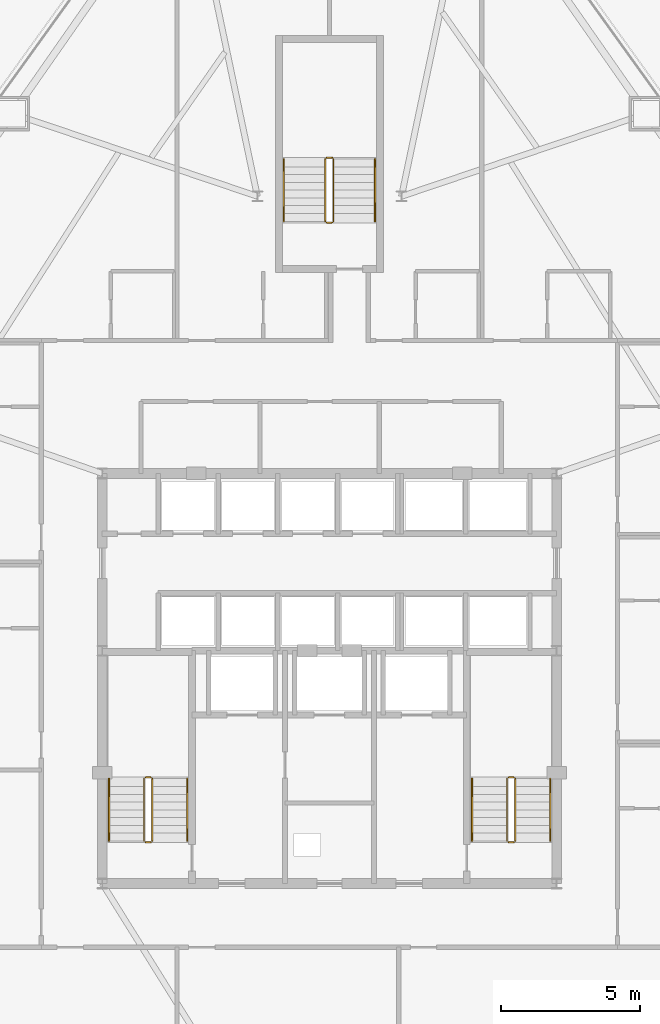
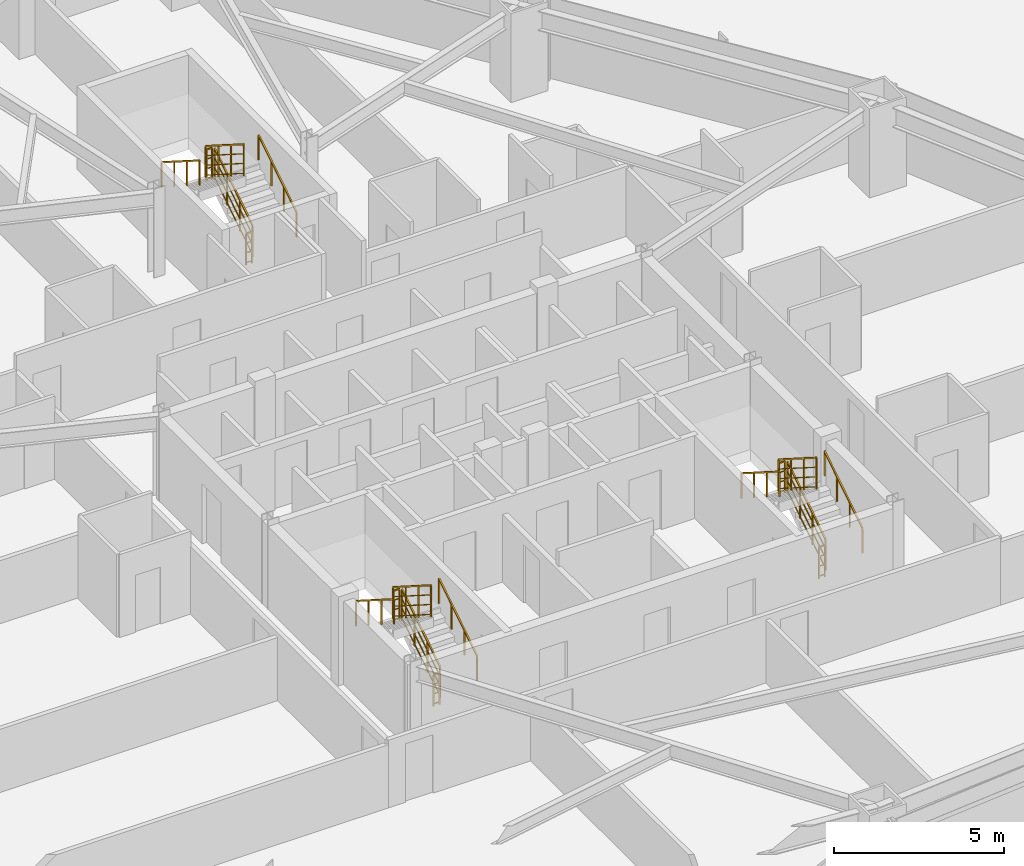
# One storey, part 17 of 17: 18 railings.
"""IFC4 building model written with IfcOpenShell, lengths in metres."""

import ifcopenshell
import ifcopenshell.guid

model = None  # the IFC model being written
_history = None  # IfcOwnerHistory: only IFC2X3 demands one
_inside = {}  # id of a spatial element -> (the spatial element, [elements in it])
_under = {}  # id of a project, library or spatial element -> (it, [spatial elements below it])
_declared = {}  # id of a project -> (the project, [libraries it declares])
_typed = {}  # id of a type object -> (the type object, [elements of that type])
_made_of = {}  # id of a material, layer set ... -> (it, [elements and type objects made of it])


def new_model(schema):
    """Start an empty IFC model of exactly this schema.

    Asked for "IFC4X3", IfcOpenShell would pick the latest addendum, in which some entities
    have other attributes; the version numbers below select the first issue.
    IFC2X3 requires an IfcOwnerHistory on every rooted entity: one is made here for all.
    """
    global model, _history
    if schema == "IFC4X3":
        model = ifcopenshell.file(schema_version=(4, 3, 0, 0))
    else:
        model = ifcopenshell.file(schema=schema)
    _inside.clear()
    _under.clear()
    _declared.clear()
    _typed.clear()
    _made_of.clear()
    _history = None
    if model.schema == "IFC2X3":
        org = make("IfcOrganization", Name="unknown")
        user = make(
            "IfcPersonAndOrganization",
            ThePerson=make("IfcPerson", FamilyName="unknown"),
            TheOrganization=org,
        )
        app = make(
            "IfcApplication",
            ApplicationDeveloper=org,
            Version="unknown",
            ApplicationFullName="unknown",
            ApplicationIdentifier="unknown",
        )
        _history = make(
            "IfcOwnerHistory",
            OwningUser=user,
            OwningApplication=app,
            ChangeAction="ADDED",
            CreationDate=0,
        )
    return model


def make(cls, **values):
    """One entity of the class cls with the attributes given. An attribute that is None is left unset."""
    return model.create_entity(
        cls, **{name: value for name, value in values.items() if value is not None}
    )


def rooted(cls, **values):
    """An entity with a GlobalId (a new one), such as an element, a storey or a relation."""
    return make(cls, GlobalId=ifcopenshell.guid.new(), OwnerHistory=_history, **values)


def si_unit(unit_type, name, prefix=None):
    """IfcSIUnit, for example si_unit("LENGTHUNIT", "METRE", prefix="MILLI")."""
    return make("IfcSIUnit", UnitType=unit_type, Prefix=prefix, Name=name)


def assignment(units):
    """IfcUnitAssignment: the units of a project."""
    return None if units is None else make("IfcUnitAssignment", Units=units)


def point(xyz):
    """IfcCartesianPoint."""
    return None if xyz is None else make("IfcCartesianPoint", Coordinates=xyz)


def direction(xyz):
    """IfcDirection."""
    return None if xyz is None else make("IfcDirection", DirectionRatios=xyz)


def frame(location, z_axis=None, x_axis=None):
    """IfcAxis2Placement3D, a coordinate frame: its origin and axes. An axis left out is left unset."""
    return make(
        "IfcAxis2Placement3D",
        Location=point(location),
        Axis=direction(z_axis),
        RefDirection=direction(x_axis),
    )


def frame_2d(location, x_axis=None):
    """IfcAxis2Placement2D, a coordinate frame in the plane: its origin and x axis."""
    return make(
        "IfcAxis2Placement2D", Location=point(location), RefDirection=direction(x_axis)
    )


def origin():
    """The frame at (0, 0, 0) with its axes left unset."""
    return frame((0.0, 0.0, 0.0))


def origin_2d():
    """The frame at (0, 0) in the plane with its x axis left unset."""
    return frame_2d((0.0, 0.0))


def place(relative_to, where):
    """IfcLocalPlacement: puts the frame where relative to a parent placement (None: the world)."""
    return make(
        "IfcLocalPlacement", PlacementRelTo=relative_to, RelativePlacement=where
    )


def context(
    kind, dimensions, precision=None, world=None, true_north=None, identifier=None
):
    """IfcGeometricRepresentationContext, for example the 3D "Model" context."""
    return make(
        "IfcGeometricRepresentationContext",
        ContextIdentifier=identifier,
        ContextType=kind,
        CoordinateSpaceDimension=dimensions,
        Precision=precision,
        WorldCoordinateSystem=world,
        TrueNorth=true_north,
    )


def subcontext(parent, identifier, kind, view, scale=None):
    """IfcGeometricRepresentationSubContext, for example "Body" below "Model"."""
    return make(
        "IfcGeometricRepresentationSubContext",
        ContextIdentifier=identifier,
        ContextType=kind,
        ParentContext=parent,
        TargetScale=scale,
        TargetView=view,
    )


def project(units=None, contexts=None):
    """IfcProject with its units and contexts."""
    return rooted(
        "IfcProject",
        Name="project",
        RepresentationContexts=contexts,
        UnitsInContext=assignment(units),
    )


def spatial(cls, under=None, at=None, **own):
    """A site, building, storey or space (cls), placed at a placement, below another one or the project."""
    s = rooted(cls, ObjectPlacement=at, **own)
    if under is not None:
        _under.setdefault(under.id(), (under, []))[1].append(s)
    return s


def profile(cls, at=None, kind="AREA", **sizes):
    """A parametric profile (cls). Its sizes go by their IFC names, for example OverallWidth=200.0."""
    return make(cls, ProfileType=kind, Position=at, **sizes)


def rectangle(**sizes):
    """IfcRectangleProfileDef."""
    return profile("IfcRectangleProfileDef", **sizes)


def extrude(swept, where, along, depth):
    """IfcExtrudedAreaSolid: the profile swept, set in the frame where, extruded along a direction by depth."""
    return make(
        "IfcExtrudedAreaSolid",
        SweptArea=swept,
        Position=where,
        ExtrudedDirection=direction(along),
        Depth=depth,
    )


def shape(context_of_items, identifier, shape_type, items):
    """IfcShapeRepresentation: the items that make up one representation, for example the "Body"."""
    return make(
        "IfcShapeRepresentation",
        ContextOfItems=context_of_items,
        RepresentationIdentifier=identifier,
        RepresentationType=shape_type,
        Items=items,
    )


def material(Name=None, Category=None):
    """IfcMaterial."""
    return make("IfcMaterial", Name=Name, Category=Category)


def made_of(thing, what):
    """Note that an element or type object is made of a material, layer set ...; save() writes the relation."""
    if what is not None:
        _made_of.setdefault(what.id(), (what, []))[1].append(thing)
    return thing


def type_object(cls, material=None, **own):
    """A type object (cls), such as IfcWallType, which elements share."""
    return made_of(rooted(cls, **own), material)


def element(
    cls,
    number,
    at=None,
    inside=None,
    cuts=None,
    type_object=None,
    material=None,
    context=None,
    identifier="Body",
    shape_type=None,
    held_by="IfcProductDefinitionShape",
    body=None,
    shapes=None,
    **own,
):
    """One element of the class cls, such as IfcWall. Its Tag is "e" and its number.

    at: its placement. inside: the storey or other place that contains it. cuts: it is an
    opening in that element (IfcRelVoidsElement). A single representation is given by context,
    identifier, shape_type and body (its items); several are given by shapes. held_by: the class
    of the entity that holds the representations. save() writes the other relations.
    """
    e = rooted(cls, Tag="e%d" % number, ObjectPlacement=at, **own)
    if body is not None:
        shapes = [shape(context, identifier, shape_type, body)]
    if shapes is not None:
        e.Representation = make(held_by, Representations=shapes)
    if inside is not None:
        _inside.setdefault(inside.id(), (inside, []))[1].append(e)
    if cuts is not None:
        rooted(
            "IfcRelVoidsElement", RelatingBuildingElement=cuts, RelatedOpeningElement=e
        )
    if type_object is not None:
        _typed.setdefault(type_object.id(), (type_object, []))[1].append(e)
    return made_of(e, material)


def aggregate(whole, parts):
    """IfcRelAggregates: a whole, such as a stair, and the parts it consists of."""
    return rooted("IfcRelAggregates", RelatingObject=whole, RelatedObjects=parts)


def save(model, path):
    """Write the relations noted so far, then the file.

    IfcRelAggregates (storeys below a building ...), IfcRelContainedInSpatialStructure (elements
    in a storey), IfcRelDefinesByType, IfcRelAssociatesMaterial and IfcRelDeclares: one each for
    every whole, place, type object, material and project.
    """
    for whole, parts in _under.values():
        aggregate(whole, parts)
    for where, things in _inside.values():
        rooted(
            "IfcRelContainedInSpatialStructure",
            RelatedElements=things,
            RelatingStructure=where,
        )
    for kind, things in _typed.values():
        rooted("IfcRelDefinesByType", RelatedObjects=things, RelatingType=kind)
    for what, things in _made_of.values():
        rooted("IfcRelAssociatesMaterial", RelatedObjects=things, RelatingMaterial=what)
    for by, libraries in _declared.values():
        rooted("IfcRelDeclares", RelatingContext=by, RelatedDefinitions=libraries)
    model.write(path)


model = new_model("IFC4")

# Units and contexts
model_context = context("Model", 3, precision=1e-05, world=origin(), true_north=direction((0.0, 1.0)))
body_context = subcontext(model_context, "Body", "Model", "MODEL_VIEW")
ifc_project = project(units=[si_unit("LENGTHUNIT", "METRE"), si_unit("AREAUNIT", "SQUARE_METRE"), si_unit("VOLUMEUNIT", "CUBIC_METRE"), si_unit("PLANEANGLEUNIT", "RADIAN"), si_unit("MASSUNIT", "GRAM", prefix="KILO")], contexts=[model_context])

# Site, building, storey
site_placement = place(None, origin())
site = spatial("IfcSite", under=ifc_project, at=site_placement, CompositionType="ELEMENT")
building_placement = place(site_placement, origin())
building = spatial("IfcBuilding", under=site, at=building_placement, Name="Varakhsha Concourse Tower", CompositionType="ELEMENT")
storey_placement = place(building_placement, frame((0.0, 0.0, 27.199951171875)))
storey = spatial("IfcBuildingStorey", under=building, at=storey_placement, Name="L06", CompositionType="ELEMENT", Elevation=27.199951171875)

# Railings
ifc_material = material(Name="Brushed Austenitic Stainless Steel AISI 316", Category="steel")
railing_type_1 = type_object("IfcRailingType", Name="RL-STAIR-GUARD-1100", PredefinedType="GUARDRAIL", material=ifc_material)
railing_1_placement = place(storey_placement, frame((33.610107421875, 17.93994140625, 0.177734375)))
element("IfcRailing", 1, at=railing_1_placement, inside=storey, type_object=railing_type_1, Name="L06 ST1 stair guard 1", PredefinedType="GUARDRAIL", context=body_context, shape_type="SweptSolid", body=[
    extrude(rectangle(XDim=0.048095703125, YDim=0.048095703125, at=origin_2d()), frame((0.0, 0.0, 1.1259765625), z_axis=(0.0, 0.84418770128, 0.536047689118), x_axis=(-1.0, 0.0, 0.0)), (0.0, 0.0, 1.0), 2.6533203125),
    extrude(rectangle(XDim=0.028076171875, YDim=0.028076171875, at=origin_2d()), frame((0.0, 0.0, 0.080078125), z_axis=(0.0, 0.84418770128, 0.536047689118), x_axis=(-1.0, 0.0, 0.0)), (0.0, 0.0, 1.0), 2.6533203125),
    extrude(rectangle(XDim=0.028076171875, YDim=0.028076171875, at=origin_2d()), frame((0.0, 0.0, 0.43701171875), z_axis=(0.0, 0.84418770128, 0.536047689118), x_axis=(-1.0, 0.0, 0.0)), (0.0, 0.0, 1.0), 2.6533203125),
    extrude(rectangle(XDim=0.028076171875, YDim=0.028076171875, at=origin_2d()), frame((0.0, 0.0, 0.781982421875), z_axis=(0.0, 0.84418770128, 0.536047689118), x_axis=(-1.0, 0.0, 0.0)), (0.0, 0.0, 1.0), 2.6533203125),
    extrude(rectangle(XDim=0.0419921875, YDim=0.0419921875, at=origin_2d()), origin(), (0.0, 0.0, 1.0), 1.101806640625),
    extrude(rectangle(XDim=0.0419921875, YDim=0.0419921875, at=origin_2d()), frame((0.0, 0.74658203125, 0.47412109375)), (0.0, 0.0, 1.0), 1.101806640625),
    extrude(rectangle(XDim=0.0419921875, YDim=0.0419921875, at=origin_2d()), frame((0.0, 1.493408203125, 0.9482421875)), (0.0, 0.0, 1.0), 1.101806640625),
    extrude(rectangle(XDim=0.0419921875, YDim=0.0419921875, at=origin_2d()), frame((0.0, 2.239990234375, 1.42236328125)), (0.0, 0.0, 1.0), 1.101806640625),
])
railing_2_placement = place(storey_placement, frame((33.56005859375, 20.22998046875, 1.60009765625)))
element("IfcRailing", 2, at=railing_2_placement, inside=storey, type_object=railing_type_1, Name="L06 ST1 stair guard 2", PredefinedType="GUARDRAIL", context=body_context, shape_type="SweptSolid", body=[
    extrude(rectangle(XDim=0.048095703125, YDim=0.048095703125, at=origin_2d()), frame((0.0, 0.0, 1.1259765625), z_axis=(-1.0, 0.0, 0.0), x_axis=(0.0, -1.0, 0.0)), (0.0, 0.0, 1.0), 0.199951171875),
    extrude(rectangle(XDim=0.028076171875, YDim=0.028076171875, at=origin_2d()), frame((0.0, 0.0, 0.080078125), z_axis=(-1.0, 0.0, 0.0), x_axis=(0.0, -1.0, 0.0)), (0.0, 0.0, 1.0), 0.199951171875),
    extrude(rectangle(XDim=0.028076171875, YDim=0.028076171875, at=origin_2d()), frame((0.0, 0.0, 0.43701171875), z_axis=(-1.0, 0.0, 0.0), x_axis=(0.0, -1.0, 0.0)), (0.0, 0.0, 1.0), 0.199951171875),
    extrude(rectangle(XDim=0.028076171875, YDim=0.028076171875, at=origin_2d()), frame((0.0, 0.0, 0.781982421875), z_axis=(-1.0, 0.0, 0.0), x_axis=(0.0, -1.0, 0.0)), (0.0, 0.0, 1.0), 0.199951171875),
    extrude(rectangle(XDim=0.0419921875, YDim=0.0419921875, at=origin_2d()), origin(), (0.0, 0.0, 1.0), 1.101806640625),
    extrude(rectangle(XDim=0.0419921875, YDim=0.0419921875, at=origin_2d()), frame((-0.199951171875, 0.0, 0.0)), (0.0, 0.0, 1.0), 1.101806640625),
])
railing_3_placement = place(storey_placement, frame((33.31005859375, 20.179931640625, 1.77783203125)))
element("IfcRailing", 3, at=railing_3_placement, inside=storey, type_object=railing_type_1, Name="L06 ST1 stair guard 3", PredefinedType="GUARDRAIL", context=body_context, shape_type="SweptSolid", body=[
    extrude(rectangle(XDim=0.048095703125, YDim=0.048095703125, at=origin_2d()), frame((0.0, 0.0, 1.1259765625), z_axis=(0.0, -0.8442293374, 0.53598211339), x_axis=(1.0, 0.0, 0.0)), (0.0, 0.0, 1.0), 2.6533203125),
    extrude(rectangle(XDim=0.028076171875, YDim=0.028076171875, at=origin_2d()), frame((0.0, 0.0, 0.080078125), z_axis=(0.0, -0.8442293374, 0.53598211339), x_axis=(1.0, 0.0, 0.0)), (0.0, 0.0, 1.0), 2.6533203125),
    extrude(rectangle(XDim=0.028076171875, YDim=0.028076171875, at=origin_2d()), frame((0.0, 0.0, 0.43701171875), z_axis=(0.0, -0.8442293374, 0.53598211339), x_axis=(1.0, 0.0, 0.0)), (0.0, 0.0, 1.0), 2.6533203125),
    extrude(rectangle(XDim=0.028076171875, YDim=0.028076171875, at=origin_2d()), frame((0.0, 0.0, 0.781982421875), z_axis=(0.0, -0.8442293374, 0.53598211339), x_axis=(1.0, 0.0, 0.0)), (0.0, 0.0, 1.0), 2.6533203125),
    extrude(rectangle(XDim=0.0419921875, YDim=0.0419921875, at=origin_2d()), origin(), (0.0, 0.0, 1.0), 1.101806640625),
    extrude(rectangle(XDim=0.0419921875, YDim=0.0419921875, at=origin_2d()), frame((0.0, -0.74658203125, 0.47412109375)), (0.0, 0.0, 1.0), 1.101806640625),
    extrude(rectangle(XDim=0.0419921875, YDim=0.0419921875, at=origin_2d()), frame((0.0, -1.493408203125, 0.947998046875)), (0.0, 0.0, 1.0), 1.101806640625),
    extrude(rectangle(XDim=0.0419921875, YDim=0.0419921875, at=origin_2d()), frame((0.0, -2.239990234375, 1.422119140625)), (0.0, 0.0, 1.0), 1.101806640625),
])
railing_4_placement = place(storey_placement, frame((33.56005859375, 17.889892578125, 0.0)))
element("IfcRailing", 4, at=railing_4_placement, inside=storey, type_object=railing_type_1, Name="L06 ST1 stair guard 4", PredefinedType="GUARDRAIL", context=body_context, shape_type="SweptSolid", body=[
    extrude(rectangle(XDim=0.048095703125, YDim=0.048095703125, at=origin_2d()), frame((0.0, 0.0, 1.1259765625), z_axis=(-1.0, 0.0, 0.0), x_axis=(0.0, -1.0, 0.0)), (0.0, 0.0, 1.0), 0.199951171875),
    extrude(rectangle(XDim=0.028076171875, YDim=0.028076171875, at=origin_2d()), frame((0.0, 0.0, 0.080078125), z_axis=(-1.0, 0.0, 0.0), x_axis=(0.0, -1.0, 0.0)), (0.0, 0.0, 1.0), 0.199951171875),
    extrude(rectangle(XDim=0.028076171875, YDim=0.028076171875, at=origin_2d()), frame((0.0, 0.0, 0.43701171875), z_axis=(-1.0, 0.0, 0.0), x_axis=(0.0, -1.0, 0.0)), (0.0, 0.0, 1.0), 0.199951171875),
    extrude(rectangle(XDim=0.028076171875, YDim=0.028076171875, at=origin_2d()), frame((0.0, 0.0, 0.781982421875), z_axis=(-1.0, 0.0, 0.0), x_axis=(0.0, -1.0, 0.0)), (0.0, 0.0, 1.0), 0.199951171875),
    extrude(rectangle(XDim=0.0419921875, YDim=0.0419921875, at=origin_2d()), origin(), (0.0, 0.0, 1.0), 1.101806640625),
    extrude(rectangle(XDim=0.0419921875, YDim=0.0419921875, at=origin_2d()), frame((-0.199951171875, 0.0, 0.0)), (0.0, 0.0, 1.0), 1.101806640625),
])
railing_5_placement = place(storey_placement, frame((46.7099609375, 17.93994140625, 0.177734375)))
element("IfcRailing", 5, at=railing_5_placement, inside=storey, type_object=railing_type_1, Name="L06 ST2 stair guard 1", PredefinedType="GUARDRAIL", context=body_context, shape_type="SweptSolid", body=[
    extrude(rectangle(XDim=0.048095703125, YDim=0.048095703125, at=origin_2d()), frame((0.0, 0.0, 1.1259765625), z_axis=(0.0, 0.84418770128, 0.536047689118), x_axis=(-1.0, 0.0, 0.0)), (0.0, 0.0, 1.0), 2.6533203125),
    extrude(rectangle(XDim=0.028076171875, YDim=0.028076171875, at=origin_2d()), frame((0.0, 0.0, 0.080078125), z_axis=(0.0, 0.84418770128, 0.536047689118), x_axis=(-1.0, 0.0, 0.0)), (0.0, 0.0, 1.0), 2.6533203125),
    extrude(rectangle(XDim=0.028076171875, YDim=0.028076171875, at=origin_2d()), frame((0.0, 0.0, 0.43701171875), z_axis=(0.0, 0.84418770128, 0.536047689118), x_axis=(-1.0, 0.0, 0.0)), (0.0, 0.0, 1.0), 2.6533203125),
    extrude(rectangle(XDim=0.028076171875, YDim=0.028076171875, at=origin_2d()), frame((0.0, 0.0, 0.781982421875), z_axis=(0.0, 0.84418770128, 0.536047689118), x_axis=(-1.0, 0.0, 0.0)), (0.0, 0.0, 1.0), 2.6533203125),
    extrude(rectangle(XDim=0.0419921875, YDim=0.0419921875, at=origin_2d()), origin(), (0.0, 0.0, 1.0), 1.101806640625),
    extrude(rectangle(XDim=0.0419921875, YDim=0.0419921875, at=origin_2d()), frame((0.0, 0.74658203125, 0.47412109375)), (0.0, 0.0, 1.0), 1.101806640625),
    extrude(rectangle(XDim=0.0419921875, YDim=0.0419921875, at=origin_2d()), frame((0.0, 1.493408203125, 0.9482421875)), (0.0, 0.0, 1.0), 1.101806640625),
    extrude(rectangle(XDim=0.0419921875, YDim=0.0419921875, at=origin_2d()), frame((0.0, 2.239990234375, 1.42236328125)), (0.0, 0.0, 1.0), 1.101806640625),
])
railing_6_placement = place(storey_placement, frame((46.659912109375, 20.22998046875, 1.60009765625)))
element("IfcRailing", 6, at=railing_6_placement, inside=storey, type_object=railing_type_1, Name="L06 ST2 stair guard 2", PredefinedType="GUARDRAIL", context=body_context, shape_type="SweptSolid", body=[
    extrude(rectangle(XDim=0.048095703125, YDim=0.048095703125, at=origin_2d()), frame((0.0, 0.0, 1.1259765625), z_axis=(-1.0, 0.0, 0.0), x_axis=(0.0, -1.0, 0.0)), (0.0, 0.0, 1.0), 0.199951171875),
    extrude(rectangle(XDim=0.028076171875, YDim=0.028076171875, at=origin_2d()), frame((0.0, 0.0, 0.080078125), z_axis=(-1.0, 0.0, 0.0), x_axis=(0.0, -1.0, 0.0)), (0.0, 0.0, 1.0), 0.199951171875),
    extrude(rectangle(XDim=0.028076171875, YDim=0.028076171875, at=origin_2d()), frame((0.0, 0.0, 0.43701171875), z_axis=(-1.0, 0.0, 0.0), x_axis=(0.0, -1.0, 0.0)), (0.0, 0.0, 1.0), 0.199951171875),
    extrude(rectangle(XDim=0.028076171875, YDim=0.028076171875, at=origin_2d()), frame((0.0, 0.0, 0.781982421875), z_axis=(-1.0, 0.0, 0.0), x_axis=(0.0, -1.0, 0.0)), (0.0, 0.0, 1.0), 0.199951171875),
    extrude(rectangle(XDim=0.0419921875, YDim=0.0419921875, at=origin_2d()), origin(), (0.0, 0.0, 1.0), 1.101806640625),
    extrude(rectangle(XDim=0.0419921875, YDim=0.0419921875, at=origin_2d()), frame((-0.199951171875, 0.0, 0.0)), (0.0, 0.0, 1.0), 1.101806640625),
])
railing_7_placement = place(storey_placement, frame((46.409912109375, 20.179931640625, 1.77783203125)))
element("IfcRailing", 7, at=railing_7_placement, inside=storey, type_object=railing_type_1, Name="L06 ST2 stair guard 3", PredefinedType="GUARDRAIL", context=body_context, shape_type="SweptSolid", body=[
    extrude(rectangle(XDim=0.048095703125, YDim=0.048095703125, at=origin_2d()), frame((0.0, 0.0, 1.1259765625), z_axis=(0.0, -0.8442293374, 0.53598211339), x_axis=(1.0, 0.0, 0.0)), (0.0, 0.0, 1.0), 2.6533203125),
    extrude(rectangle(XDim=0.028076171875, YDim=0.028076171875, at=origin_2d()), frame((0.0, 0.0, 0.080078125), z_axis=(0.0, -0.8442293374, 0.53598211339), x_axis=(1.0, 0.0, 0.0)), (0.0, 0.0, 1.0), 2.6533203125),
    extrude(rectangle(XDim=0.028076171875, YDim=0.028076171875, at=origin_2d()), frame((0.0, 0.0, 0.43701171875), z_axis=(0.0, -0.8442293374, 0.53598211339), x_axis=(1.0, 0.0, 0.0)), (0.0, 0.0, 1.0), 2.6533203125),
    extrude(rectangle(XDim=0.028076171875, YDim=0.028076171875, at=origin_2d()), frame((0.0, 0.0, 0.781982421875), z_axis=(0.0, -0.8442293374, 0.53598211339), x_axis=(1.0, 0.0, 0.0)), (0.0, 0.0, 1.0), 2.6533203125),
    extrude(rectangle(XDim=0.0419921875, YDim=0.0419921875, at=origin_2d()), origin(), (0.0, 0.0, 1.0), 1.101806640625),
    extrude(rectangle(XDim=0.0419921875, YDim=0.0419921875, at=origin_2d()), frame((0.0, -0.74658203125, 0.47412109375)), (0.0, 0.0, 1.0), 1.101806640625),
    extrude(rectangle(XDim=0.0419921875, YDim=0.0419921875, at=origin_2d()), frame((0.0, -1.493408203125, 0.947998046875)), (0.0, 0.0, 1.0), 1.101806640625),
    extrude(rectangle(XDim=0.0419921875, YDim=0.0419921875, at=origin_2d()), frame((0.0, -2.239990234375, 1.422119140625)), (0.0, 0.0, 1.0), 1.101806640625),
])
railing_8_placement = place(storey_placement, frame((46.659912109375, 17.889892578125, 0.0)))
element("IfcRailing", 8, at=railing_8_placement, inside=storey, type_object=railing_type_1, Name="L06 ST2 stair guard 4", PredefinedType="GUARDRAIL", context=body_context, shape_type="SweptSolid", body=[
    extrude(rectangle(XDim=0.048095703125, YDim=0.048095703125, at=origin_2d()), frame((0.0, 0.0, 1.1259765625), z_axis=(-1.0, 0.0, 0.0), x_axis=(0.0, -1.0, 0.0)), (0.0, 0.0, 1.0), 0.199951171875),
    extrude(rectangle(XDim=0.028076171875, YDim=0.028076171875, at=origin_2d()), frame((0.0, 0.0, 0.080078125), z_axis=(-1.0, 0.0, 0.0), x_axis=(0.0, -1.0, 0.0)), (0.0, 0.0, 1.0), 0.199951171875),
    extrude(rectangle(XDim=0.028076171875, YDim=0.028076171875, at=origin_2d()), frame((0.0, 0.0, 0.43701171875), z_axis=(-1.0, 0.0, 0.0), x_axis=(0.0, -1.0, 0.0)), (0.0, 0.0, 1.0), 0.199951171875),
    extrude(rectangle(XDim=0.028076171875, YDim=0.028076171875, at=origin_2d()), frame((0.0, 0.0, 0.781982421875), z_axis=(-1.0, 0.0, 0.0), x_axis=(0.0, -1.0, 0.0)), (0.0, 0.0, 1.0), 0.199951171875),
    extrude(rectangle(XDim=0.0419921875, YDim=0.0419921875, at=origin_2d()), origin(), (0.0, 0.0, 1.0), 1.101806640625),
    extrude(rectangle(XDim=0.0419921875, YDim=0.0419921875, at=origin_2d()), frame((-0.199951171875, 0.0, 0.0)), (0.0, 0.0, 1.0), 1.101806640625),
])
railing_9_placement = place(storey_placement, frame((40.14990234375, 40.300048828125, 0.177734375)))
element("IfcRailing", 9, at=railing_9_placement, inside=storey, type_object=railing_type_1, Name="L06 ST5 stair guard 1", PredefinedType="GUARDRAIL", context=body_context, shape_type="SweptSolid", body=[
    extrude(rectangle(XDim=0.048095703125, YDim=0.048095703125, at=origin_2d()), frame((0.0, 0.0, 1.1259765625), z_axis=(0.0, 0.84418770128, 0.536047689118), x_axis=(-1.0, 0.0, 0.0)), (0.0, 0.0, 1.0), 2.6533203125),
    extrude(rectangle(XDim=0.028076171875, YDim=0.028076171875, at=origin_2d()), frame((0.0, 0.0, 0.080078125), z_axis=(0.0, 0.84418770128, 0.536047689118), x_axis=(-1.0, 0.0, 0.0)), (0.0, 0.0, 1.0), 2.6533203125),
    extrude(rectangle(XDim=0.028076171875, YDim=0.028076171875, at=origin_2d()), frame((0.0, 0.0, 0.43701171875), z_axis=(0.0, 0.84418770128, 0.536047689118), x_axis=(-1.0, 0.0, 0.0)), (0.0, 0.0, 1.0), 2.6533203125),
    extrude(rectangle(XDim=0.028076171875, YDim=0.028076171875, at=origin_2d()), frame((0.0, 0.0, 0.781982421875), z_axis=(0.0, 0.84418770128, 0.536047689118), x_axis=(-1.0, 0.0, 0.0)), (0.0, 0.0, 1.0), 2.6533203125),
    extrude(rectangle(XDim=0.0419921875, YDim=0.0419921875, at=origin_2d()), origin(), (0.0, 0.0, 1.0), 1.101806640625),
    extrude(rectangle(XDim=0.0419921875, YDim=0.0419921875, at=origin_2d()), frame((0.0, 0.74658203125, 0.47412109375)), (0.0, 0.0, 1.0), 1.101806640625),
    extrude(rectangle(XDim=0.0419921875, YDim=0.0419921875, at=origin_2d()), frame((0.0, 1.493408203125, 0.9482421875)), (0.0, 0.0, 1.0), 1.101806640625),
    extrude(rectangle(XDim=0.0419921875, YDim=0.0419921875, at=origin_2d()), frame((0.0, 2.239990234375, 1.42236328125)), (0.0, 0.0, 1.0), 1.101806640625),
])
railing_10_placement = place(storey_placement, frame((40.10009765625, 42.590087890625, 1.60009765625)))
element("IfcRailing", 10, at=railing_10_placement, inside=storey, type_object=railing_type_1, Name="L06 ST5 stair guard 2", PredefinedType="GUARDRAIL", context=body_context, shape_type="SweptSolid", body=[
    extrude(rectangle(XDim=0.048095703125, YDim=0.048095703125, at=origin_2d()), frame((0.0, 0.0, 1.1259765625), z_axis=(-1.0, 0.0, 0.0), x_axis=(0.0, -1.0, 0.0)), (0.0, 0.0, 1.0), 0.2001953125),
    extrude(rectangle(XDim=0.028076171875, YDim=0.028076171875, at=origin_2d()), frame((0.0, 0.0, 0.080078125), z_axis=(-1.0, 0.0, 0.0), x_axis=(0.0, -1.0, 0.0)), (0.0, 0.0, 1.0), 0.2001953125),
    extrude(rectangle(XDim=0.028076171875, YDim=0.028076171875, at=origin_2d()), frame((0.0, 0.0, 0.43701171875), z_axis=(-1.0, 0.0, 0.0), x_axis=(0.0, -1.0, 0.0)), (0.0, 0.0, 1.0), 0.2001953125),
    extrude(rectangle(XDim=0.028076171875, YDim=0.028076171875, at=origin_2d()), frame((0.0, 0.0, 0.781982421875), z_axis=(-1.0, 0.0, 0.0), x_axis=(0.0, -1.0, 0.0)), (0.0, 0.0, 1.0), 0.2001953125),
    extrude(rectangle(XDim=0.0419921875, YDim=0.0419921875, at=origin_2d()), origin(), (0.0, 0.0, 1.0), 1.101806640625),
    extrude(rectangle(XDim=0.0419921875, YDim=0.0419921875, at=origin_2d()), frame((-0.2001953125, 0.0, 0.0)), (0.0, 0.0, 1.0), 1.101806640625),
])
railing_11_placement = place(storey_placement, frame((39.85009765625, 42.5400390625, 1.77783203125)))
element("IfcRailing", 11, at=railing_11_placement, inside=storey, type_object=railing_type_1, Name="L06 ST5 stair guard 3", PredefinedType="GUARDRAIL", context=body_context, shape_type="SweptSolid", body=[
    extrude(rectangle(XDim=0.048095703125, YDim=0.048095703125, at=origin_2d()), frame((0.0, 0.0, 1.1259765625), z_axis=(0.0, -0.8442293374, 0.53598211339), x_axis=(1.0, 0.0, 0.0)), (0.0, 0.0, 1.0), 2.6533203125),
    extrude(rectangle(XDim=0.028076171875, YDim=0.028076171875, at=origin_2d()), frame((0.0, 0.0, 0.080078125), z_axis=(0.0, -0.8442293374, 0.53598211339), x_axis=(1.0, 0.0, 0.0)), (0.0, 0.0, 1.0), 2.6533203125),
    extrude(rectangle(XDim=0.028076171875, YDim=0.028076171875, at=origin_2d()), frame((0.0, 0.0, 0.43701171875), z_axis=(0.0, -0.8442293374, 0.53598211339), x_axis=(1.0, 0.0, 0.0)), (0.0, 0.0, 1.0), 2.6533203125),
    extrude(rectangle(XDim=0.028076171875, YDim=0.028076171875, at=origin_2d()), frame((0.0, 0.0, 0.781982421875), z_axis=(0.0, -0.8442293374, 0.53598211339), x_axis=(1.0, 0.0, 0.0)), (0.0, 0.0, 1.0), 2.6533203125),
    extrude(rectangle(XDim=0.0419921875, YDim=0.0419921875, at=origin_2d()), origin(), (0.0, 0.0, 1.0), 1.101806640625),
    extrude(rectangle(XDim=0.0419921875, YDim=0.0419921875, at=origin_2d()), frame((0.0, -0.74658203125, 0.47412109375)), (0.0, 0.0, 1.0), 1.101806640625),
    extrude(rectangle(XDim=0.0419921875, YDim=0.0419921875, at=origin_2d()), frame((0.0, -1.493408203125, 0.947998046875)), (0.0, 0.0, 1.0), 1.101806640625),
    extrude(rectangle(XDim=0.0419921875, YDim=0.0419921875, at=origin_2d()), frame((0.0, -2.239990234375, 1.422119140625)), (0.0, 0.0, 1.0), 1.101806640625),
])
railing_12_placement = place(storey_placement, frame((40.10009765625, 40.25, 0.0)))
element("IfcRailing", 12, at=railing_12_placement, inside=storey, type_object=railing_type_1, Name="L06 ST5 stair guard 4", PredefinedType="GUARDRAIL", context=body_context, shape_type="SweptSolid", body=[
    extrude(rectangle(XDim=0.048095703125, YDim=0.048095703125, at=origin_2d()), frame((0.0, 0.0, 1.1259765625), z_axis=(-1.0, 0.0, 0.0), x_axis=(0.0, -1.0, 0.0)), (0.0, 0.0, 1.0), 0.2001953125),
    extrude(rectangle(XDim=0.028076171875, YDim=0.028076171875, at=origin_2d()), frame((0.0, 0.0, 0.080078125), z_axis=(-1.0, 0.0, 0.0), x_axis=(0.0, -1.0, 0.0)), (0.0, 0.0, 1.0), 0.2001953125),
    extrude(rectangle(XDim=0.028076171875, YDim=0.028076171875, at=origin_2d()), frame((0.0, 0.0, 0.43701171875), z_axis=(-1.0, 0.0, 0.0), x_axis=(0.0, -1.0, 0.0)), (0.0, 0.0, 1.0), 0.2001953125),
    extrude(rectangle(XDim=0.028076171875, YDim=0.028076171875, at=origin_2d()), frame((0.0, 0.0, 0.781982421875), z_axis=(-1.0, 0.0, 0.0), x_axis=(0.0, -1.0, 0.0)), (0.0, 0.0, 1.0), 0.2001953125),
    extrude(rectangle(XDim=0.0419921875, YDim=0.0419921875, at=origin_2d()), origin(), (0.0, 0.0, 1.0), 1.101806640625),
    extrude(rectangle(XDim=0.0419921875, YDim=0.0419921875, at=origin_2d()), frame((-0.2001953125, 0.0, 0.0)), (0.0, 0.0, 1.0), 1.101806640625),
])
railing_type_2 = type_object("IfcRailingType", Name="RL-STAIR-RAIL-915", PredefinedType="HANDRAIL", material=ifc_material)
railing_13_placement = place(storey_placement, frame((34.8701171875, 17.93994140625, 0.355712890625)))
element("IfcRailing", 13, at=railing_13_placement, inside=storey, type_object=railing_type_2, Name="L06 ST1 stair handrail 1", PredefinedType="HANDRAIL", context=body_context, shape_type="SweptSolid", body=[
    extrude(rectangle(XDim=0.048095703125, YDim=0.048095703125, at=origin_2d()), frame((0.0, 0.0, 0.89111328125), z_axis=(0.0, 0.8442293374, 0.53598211339), x_axis=(-1.0, 0.0, 0.0)), (0.0, 0.0, 1.0), 2.6533203125),
    extrude(rectangle(XDim=0.0419921875, YDim=0.0419921875, at=origin_2d()), origin(), (0.0, 0.0, 1.0), 0.866943359375),
    extrude(rectangle(XDim=0.0419921875, YDim=0.0419921875, at=origin_2d()), frame((0.0, 0.74658203125, 0.47412109375)), (0.0, 0.0, 1.0), 0.866943359375),
    extrude(rectangle(XDim=0.0419921875, YDim=0.0419921875, at=origin_2d()), frame((0.0, 1.493408203125, 0.947998046875)), (0.0, 0.0, 1.0), 0.866943359375),
    extrude(rectangle(XDim=0.0419921875, YDim=0.0419921875, at=origin_2d()), frame((0.0, 2.239990234375, 1.422119140625)), (0.0, 0.0, 1.0), 0.866943359375),
])
railing_14_placement = place(storey_placement, frame((32.050048828125, 20.179931640625, 1.95556640625)))
element("IfcRailing", 14, at=railing_14_placement, inside=storey, type_object=railing_type_2, Name="L06 ST1 stair handrail 2", PredefinedType="HANDRAIL", context=body_context, shape_type="SweptSolid", body=[
    extrude(rectangle(XDim=0.048095703125, YDim=0.048095703125, at=origin_2d()), frame((0.0, 0.0, 0.89111328125), z_axis=(0.0, -0.84418770128, 0.536047689118), x_axis=(1.0, 0.0, 0.0)), (0.0, 0.0, 1.0), 2.6533203125),
    extrude(rectangle(XDim=0.0419921875, YDim=0.0419921875, at=origin_2d()), origin(), (0.0, 0.0, 1.0), 0.866943359375),
    extrude(rectangle(XDim=0.0419921875, YDim=0.0419921875, at=origin_2d()), frame((0.0, -0.74658203125, 0.47412109375)), (0.0, 0.0, 1.0), 0.866943359375),
    extrude(rectangle(XDim=0.0419921875, YDim=0.0419921875, at=origin_2d()), frame((0.0, -1.493408203125, 0.9482421875)), (0.0, 0.0, 1.0), 0.866943359375),
    extrude(rectangle(XDim=0.0419921875, YDim=0.0419921875, at=origin_2d()), frame((0.0, -2.239990234375, 1.42236328125)), (0.0, 0.0, 1.0), 0.866943359375),
])
railing_15_placement = place(storey_placement, frame((47.969970703125, 17.93994140625, 0.355712890625)))
element("IfcRailing", 15, at=railing_15_placement, inside=storey, type_object=railing_type_2, Name="L06 ST2 stair handrail 1", PredefinedType="HANDRAIL", context=body_context, shape_type="SweptSolid", body=[
    extrude(rectangle(XDim=0.048095703125, YDim=0.048095703125, at=origin_2d()), frame((0.0, 0.0, 0.89111328125), z_axis=(0.0, 0.8442293374, 0.53598211339), x_axis=(-1.0, 0.0, 0.0)), (0.0, 0.0, 1.0), 2.6533203125),
    extrude(rectangle(XDim=0.0419921875, YDim=0.0419921875, at=origin_2d()), origin(), (0.0, 0.0, 1.0), 0.866943359375),
    extrude(rectangle(XDim=0.0419921875, YDim=0.0419921875, at=origin_2d()), frame((0.0, 0.74658203125, 0.47412109375)), (0.0, 0.0, 1.0), 0.866943359375),
    extrude(rectangle(XDim=0.0419921875, YDim=0.0419921875, at=origin_2d()), frame((0.0, 1.493408203125, 0.947998046875)), (0.0, 0.0, 1.0), 0.866943359375),
    extrude(rectangle(XDim=0.0419921875, YDim=0.0419921875, at=origin_2d()), frame((0.0, 2.239990234375, 1.422119140625)), (0.0, 0.0, 1.0), 0.866943359375),
])
railing_16_placement = place(storey_placement, frame((45.14990234375, 20.179931640625, 1.95556640625)))
element("IfcRailing", 16, at=railing_16_placement, inside=storey, type_object=railing_type_2, Name="L06 ST2 stair handrail 2", PredefinedType="HANDRAIL", context=body_context, shape_type="SweptSolid", body=[
    extrude(rectangle(XDim=0.048095703125, YDim=0.048095703125, at=origin_2d()), frame((0.0, 0.0, 0.89111328125), z_axis=(0.0, -0.84418770128, 0.536047689118), x_axis=(1.0, 0.0, 0.0)), (0.0, 0.0, 1.0), 2.6533203125),
    extrude(rectangle(XDim=0.0419921875, YDim=0.0419921875, at=origin_2d()), origin(), (0.0, 0.0, 1.0), 0.866943359375),
    extrude(rectangle(XDim=0.0419921875, YDim=0.0419921875, at=origin_2d()), frame((0.0, -0.74658203125, 0.47412109375)), (0.0, 0.0, 1.0), 0.866943359375),
    extrude(rectangle(XDim=0.0419921875, YDim=0.0419921875, at=origin_2d()), frame((0.0, -1.493408203125, 0.9482421875)), (0.0, 0.0, 1.0), 0.866943359375),
    extrude(rectangle(XDim=0.0419921875, YDim=0.0419921875, at=origin_2d()), frame((0.0, -2.239990234375, 1.42236328125)), (0.0, 0.0, 1.0), 0.866943359375),
])
railing_17_placement = place(storey_placement, frame((41.64990234375, 40.300048828125, 0.355712890625)))
element("IfcRailing", 17, at=railing_17_placement, inside=storey, type_object=railing_type_2, Name="L06 ST5 stair handrail 1", PredefinedType="HANDRAIL", context=body_context, shape_type="SweptSolid", body=[
    extrude(rectangle(XDim=0.048095703125, YDim=0.048095703125, at=origin_2d()), frame((0.0, 0.0, 0.89111328125), z_axis=(0.0, 0.8442293374, 0.53598211339), x_axis=(-1.0, 0.0, 0.0)), (0.0, 0.0, 1.0), 2.6533203125),
    extrude(rectangle(XDim=0.0419921875, YDim=0.0419921875, at=origin_2d()), origin(), (0.0, 0.0, 1.0), 0.866943359375),
    extrude(rectangle(XDim=0.0419921875, YDim=0.0419921875, at=origin_2d()), frame((0.0, 0.74658203125, 0.47412109375)), (0.0, 0.0, 1.0), 0.866943359375),
    extrude(rectangle(XDim=0.0419921875, YDim=0.0419921875, at=origin_2d()), frame((0.0, 1.493408203125, 0.947998046875)), (0.0, 0.0, 1.0), 0.866943359375),
    extrude(rectangle(XDim=0.0419921875, YDim=0.0419921875, at=origin_2d()), frame((0.0, 2.239990234375, 1.422119140625)), (0.0, 0.0, 1.0), 0.866943359375),
])
railing_18_placement = place(storey_placement, frame((38.35009765625, 42.5400390625, 1.95556640625)))
element("IfcRailing", 18, at=railing_18_placement, inside=storey, type_object=railing_type_2, Name="L06 ST5 stair handrail 2", PredefinedType="HANDRAIL", context=body_context, shape_type="SweptSolid", body=[
    extrude(rectangle(XDim=0.048095703125, YDim=0.048095703125, at=origin_2d()), frame((0.0, 0.0, 0.89111328125), z_axis=(0.0, -0.84418770128, 0.536047689118), x_axis=(1.0, 0.0, 0.0)), (0.0, 0.0, 1.0), 2.6533203125),
    extrude(rectangle(XDim=0.0419921875, YDim=0.0419921875, at=origin_2d()), origin(), (0.0, 0.0, 1.0), 0.866943359375),
    extrude(rectangle(XDim=0.0419921875, YDim=0.0419921875, at=origin_2d()), frame((0.0, -0.74658203125, 0.47412109375)), (0.0, 0.0, 1.0), 0.866943359375),
    extrude(rectangle(XDim=0.0419921875, YDim=0.0419921875, at=origin_2d()), frame((0.0, -1.493408203125, 0.9482421875)), (0.0, 0.0, 1.0), 0.866943359375),
    extrude(rectangle(XDim=0.0419921875, YDim=0.0419921875, at=origin_2d()), frame((0.0, -2.239990234375, 1.42236328125)), (0.0, 0.0, 1.0), 0.866943359375),
])

save(model, "model.ifc")
